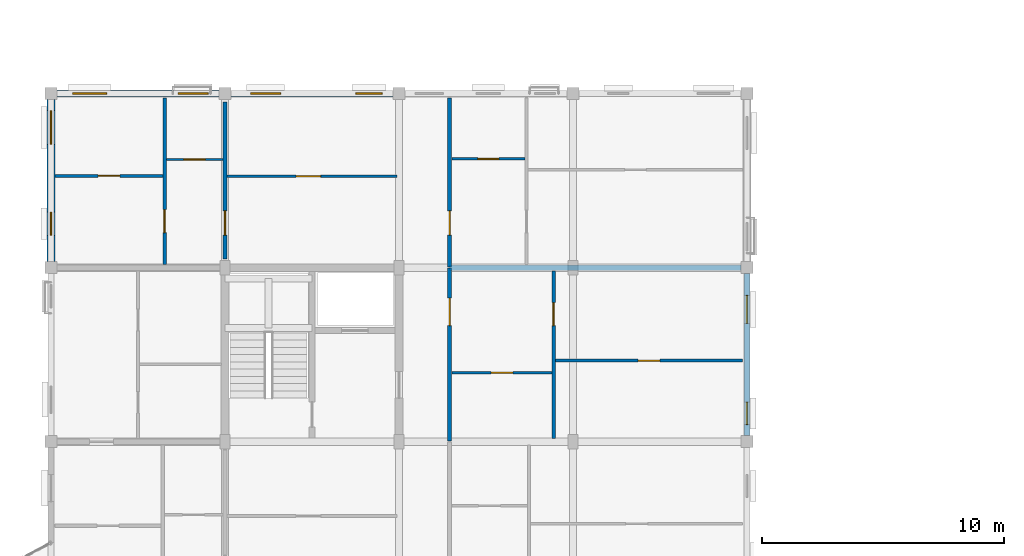
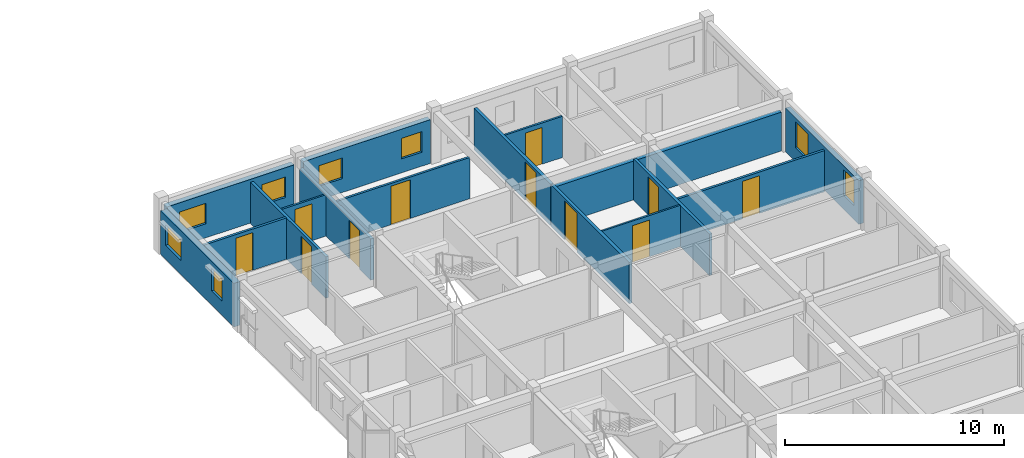
# One storey, part 19 of 38: 16 walls, 11 doors, 8 windows, 19 openings.
"""IFC4 building model written with IfcOpenShell, lengths in metres."""

from ifc_helpers import new_model, si_unit, direction, frame, frame_2d, origin, place, context, subcontext, project, spatial, rectangle, extrude, material, layer, layer_set, type_object, element, fill, save


model = new_model("IFC4")

# Units and contexts
model_context = context("Model", 3, precision=1e-05, world=origin(), true_north=direction((0.0, 1.0)))
body_context = subcontext(model_context, "Body", "Model", "MODEL_VIEW")
ifc_project = project(units=[si_unit("LENGTHUNIT", "METRE"), si_unit("AREAUNIT", "SQUARE_METRE"), si_unit("VOLUMEUNIT", "CUBIC_METRE"), si_unit("PLANEANGLEUNIT", "RADIAN"), si_unit("MASSUNIT", "GRAM", prefix="KILO"), si_unit("THERMODYNAMICTEMPERATUREUNIT", "KELVIN"), si_unit("POWERUNIT", "WATT")], contexts=[model_context])

# Site, building, storey
site_placement = place(None, origin())
site = spatial("IfcSite", under=ifc_project, at=site_placement, CompositionType="ELEMENT")
building_placement = place(site_placement, origin())
building = spatial("IfcBuilding", under=site, at=building_placement, Name="Tavuni Mirador Residences", CompositionType="ELEMENT")
storey_placement = place(building_placement, frame((0.0, 0.0, 32.85009765625)))
storey = spatial("IfcBuildingStorey", under=building, at=storey_placement, Name="L10", CompositionType="ELEMENT", Elevation=32.85009765625)

# Wall, opening, door
ifc_material_1 = material(Name="Precast concrete C40/50", Category="concrete")
ifc_layer_1 = layer(ifc_material_1, 0.1650390625, Name="Precast concrete C40/50", Category="concrete")
ifc_layer_set_1 = layer_set([ifc_layer_1], Name="Precast concrete C40/50")
wall_type_1 = type_object("IfcWallType", Name="WT-CORR165", PredefinedType="PARTITIONING", material=ifc_layer_set_1)
wall_1_placement = place(storey_placement, frame((20.10009765625, 28.820068359375, 0.0), z_axis=(0.0, 0.0, 1.0), x_axis=(0.0, 1.0, 0.0)))
wall_1 = element("IfcWall", 1, at=wall_1_placement, inside=storey, type_object=wall_type_1, Name="CORW-BLK-A-L10-0-03", PredefinedType="PARTITIONING", context=body_context, shape_type="SweptSolid", body=[
    extrude(rectangle(XDim=7.159912109375, YDim=0.1650390625, at=frame_2d((3.580078125, 0.0))), origin(), (0.0, 0.0, 1.0), 2.304931640625),
])
opening_1_placement = place(wall_1_placement, frame((4.780029296875, 0.0, 0.0)))
opening_1 = element("IfcOpeningElement", 2, at=opening_1_placement, cuts=wall_1, Name="Opening D-20", PredefinedType="OPENING", context=body_context, shape_type="SweptSolid", body=[
    extrude(rectangle(XDim=1.139892578125, YDim=2.179931640625, at=frame_2d((0.56982421875, 1.08984375))), frame((0.0, 0.092529296875, 0.0), z_axis=(0.0, -1.0, 0.0), x_axis=(1.0, 0.0, 0.0)), (0.0, 0.0, 1.0), 0.18505859375),
])
ifc_material_2 = material(Name="Solid core iroko timber", Category="wood")
door_type_1 = type_object("IfcDoorType", Name="DT-FD60-1140", OperationType="NOTDEFINED", PredefinedType="DOOR", material=ifc_material_2)
door_1_placement = place(opening_1_placement, origin())
door_1 = element("IfcDoor", 3, at=door_1_placement, inside=storey, type_object=door_type_1, Name="DR-2480", OperationType="SINGLE_SWING_LEFT", OverallHeight=2.179931640625, OverallWidth=1.139892578125, PredefinedType="DOOR", context=body_context, shape_type="SweptSolid", body=[
    extrude(rectangle(XDim=1.139892578125, YDim=2.179931640625, at=frame_2d((0.56982421875, 1.08984375))), frame((0.0, 0.02490234375, 0.0), z_axis=(0.0, -1.0, 0.0), x_axis=(1.0, 0.0, 0.0)), (0.0, 0.0, 1.0), 0.050048828125),
])
fill(opening_1, door_1)

wall_2_placement = place(storey_placement, frame((20.10009765625, 36.02001953125, 0.0), z_axis=(0.0, 0.0, 1.0), x_axis=(0.0, 1.0, 0.0)))
wall_2 = element("IfcWall", 4, at=wall_2_placement, inside=storey, type_object=wall_type_1, Name="CORW-BLK-A-L10-0-04", PredefinedType="PARTITIONING", context=body_context, shape_type="SweptSolid", body=[
    extrude(rectangle(XDim=7.0048828125, YDim=0.1650390625, at=frame_2d((3.50244140625, 0.0))), origin(), (0.0, 0.0, 1.0), 2.304931640625),
])
opening_2_placement = place(wall_2_placement, frame((1.330078125, 0.0, 0.0)))
opening_2 = element("IfcOpeningElement", 5, at=opening_2_placement, cuts=wall_2, Name="Opening D-03", PredefinedType="OPENING", context=body_context, shape_type="SweptSolid", body=[
    extrude(rectangle(XDim=1.0, YDim=2.14990234375, at=frame_2d((0.5, 1.074951171875))), frame((0.0, 0.092529296875, 0.0), z_axis=(0.0, -1.0, 0.0), x_axis=(1.0, 0.0, 0.0)), (0.0, 0.0, 1.0), 0.18505859375),
])
door_type_2 = type_object("IfcDoorType", Name="DT-FD60-1000", OperationType="NOTDEFINED", PredefinedType="DOOR", material=ifc_material_2)
door_2_placement = place(opening_2_placement, origin())
door_2 = element("IfcDoor", 6, at=door_2_placement, inside=storey, type_object=door_type_2, Name="DR-2481", OperationType="SINGLE_SWING_RIGHT", OverallHeight=2.14990234375, OverallWidth=1.0, PredefinedType="DOOR", context=body_context, shape_type="SweptSolid", body=[
    extrude(rectangle(XDim=1.0, YDim=2.14990234375, at=frame_2d((0.5, 1.074951171875))), frame((0.0, 0.02490234375, 0.0), z_axis=(0.0, -1.0, 0.0), x_axis=(1.0, 0.0, 0.0)), (0.0, 0.0, 1.0), 0.050048828125),
])
fill(opening_2, door_2)

wall_3_placement = place(storey_placement, frame((10.800048828125, 36.35009765625, 0.0), z_axis=(0.0, 0.0, 1.0), x_axis=(0.0, 1.0, 0.0)))
wall_3 = element("IfcWall", 7, at=wall_3_placement, inside=storey, type_object=wall_type_1, Name="CORW-BLK-A-L10-1-04", PredefinedType="PARTITIONING", context=body_context, shape_type="SweptSolid", body=[
    extrude(rectangle(XDim=6.5, YDim=0.1650390625, at=frame_2d((3.25, 0.0))), origin(), (0.0, 0.0, 1.0), 2.304931640625),
])
opening_3_placement = place(wall_3_placement, frame((1.0, 0.0, 0.0)))
opening_3 = element("IfcOpeningElement", 8, at=opening_3_placement, cuts=wall_3, Name="Opening D-03", PredefinedType="OPENING", context=body_context, shape_type="SweptSolid", body=[
    extrude(rectangle(XDim=1.0, YDim=2.14990234375, at=frame_2d((0.5, 1.074951171875))), frame((0.0, 0.092529296875, 0.0), z_axis=(0.0, -1.0, 0.0), x_axis=(1.0, 0.0, 0.0)), (0.0, 0.0, 1.0), 0.18505859375),
])
door_3_placement = place(opening_3_placement, origin())
door_3 = element("IfcDoor", 9, at=door_3_placement, inside=storey, type_object=door_type_2, Name="DR-2484", OperationType="SINGLE_SWING_LEFT", OverallHeight=2.14990234375, OverallWidth=1.0, PredefinedType="DOOR", context=body_context, shape_type="SweptSolid", body=[
    extrude(rectangle(XDim=1.0, YDim=2.14990234375, at=frame_2d((0.5, 1.074951171875))), frame((0.0, 0.02490234375, 0.0), z_axis=(0.0, -1.0, 0.0), x_axis=(1.0, 0.0, 0.0)), (0.0, 0.0, 1.0), 0.050048828125),
])
fill(opening_3, door_3)

# Wall, openings, windows
ifc_layer_2 = layer(ifc_material_1, 0.330078125, Name="Precast concrete C40/50", Category="concrete")
ifc_layer_set_2 = layer_set([ifc_layer_2], Name="Precast concrete C40/50")
wall_type_2 = type_object("IfcWallType", Name="WT-EXT-COR330", PredefinedType="SOLIDWALL", material=ifc_layer_set_2)
wall_4_placement = place(storey_placement, frame((3.60009765625, 42.949951171875, 0.0), z_axis=(0.0, 0.0, 1.0), x_axis=(0.0, -1.0, 0.0)))
wall_4 = element("IfcWall", 10, at=wall_4_placement, inside=storey, type_object=wall_type_2, Name="EW-BLK-A-L10-W04", PredefinedType="SOLIDWALL", context=body_context, shape_type="SweptSolid", body=[
    extrude(rectangle(XDim=6.699951171875, YDim=0.330078125, at=frame_2d((3.35009765625, 0.0))), origin(), (0.0, 0.0, 1.0), 2.43994140625),
])
opening_4_placement = place(wall_4_placement, frame((0.449951171875, 0.0, 0.780029296875)))
opening_4 = element("IfcOpeningElement", 11, at=opening_4_placement, cuts=wall_4, Name="Opening WN-08", PredefinedType="OPENING", context=body_context, shape_type="SweptSolid", body=[
    extrude(rectangle(XDim=1.39990234375, YDim=1.14990234375, at=frame_2d((0.699951171875, 0.574951171875))), frame((0.0, 0.175048828125, 0.0), z_axis=(0.0, -1.0, 0.0), x_axis=(1.0, 0.0, 0.0)), (0.0, 0.0, 1.0), 0.35009765625),
])
opening_5_placement = place(wall_4_placement, frame((4.64990234375, 0.0, 0.780029296875)))
opening_5 = element("IfcOpeningElement", 12, at=opening_5_placement, cuts=wall_4, Name="Opening WN-10", PredefinedType="OPENING", context=body_context, shape_type="SweptSolid", body=[
    extrude(rectangle(XDim=0.9599609375, YDim=1.260009765625, at=frame_2d((0.47998046875, 0.6298828125))), frame((0.0, 0.175048828125, 0.0), z_axis=(0.0, -1.0, 0.0), x_axis=(1.0, 0.0, 0.0)), (0.0, 0.0, 1.0), 0.35009765625),
])
ifc_material_3 = material(Name="Laminated solar-control glass", Category="glass")
window_type_1 = type_object("IfcWindowType", Name="WNT-08", PartitioningType="SINGLE_PANEL", PredefinedType="WINDOW", material=ifc_material_3)
window_1_placement = place(opening_4_placement, origin())
window_1 = element("IfcWindow", 13, at=window_1_placement, inside=storey, type_object=window_type_1, Name="WIN-0387", OverallHeight=1.14990234375, OverallWidth=1.39990234375, PartitioningType="SINGLE_PANEL", PredefinedType="WINDOW", context=body_context, shape_type="SweptSolid", body=[
    extrude(rectangle(XDim=1.39990234375, YDim=1.14990234375, at=frame_2d((0.699951171875, 0.574951171875))), frame((0.0, 0.030029296875, 0.0), z_axis=(0.0, -1.0, 0.0), x_axis=(1.0, 0.0, 0.0)), (0.0, 0.0, 1.0), 0.06005859375),
])
fill(opening_4, window_1)
window_type_2 = type_object("IfcWindowType", Name="WNT-10", PartitioningType="SINGLE_PANEL", PredefinedType="WINDOW", material=ifc_material_3)
window_2_placement = place(opening_5_placement, origin())
window_2 = element("IfcWindow", 14, at=window_2_placement, inside=storey, type_object=window_type_2, Name="WIN-0388", OverallHeight=1.260009765625, OverallWidth=0.9599609375, PartitioningType="SINGLE_PANEL", PredefinedType="WINDOW", context=body_context, shape_type="SweptSolid", body=[
    extrude(rectangle(XDim=0.9599609375, YDim=1.260009765625, at=frame_2d((0.47998046875, 0.6298828125))), frame((0.0, 0.030029296875, 0.0), z_axis=(0.0, -1.0, 0.0), x_axis=(1.0, 0.0, 0.0)), (0.0, 0.0, 1.0), 0.06005859375),
])
fill(opening_5, window_2)

ifc_material_4 = material(Name="Sgraffito lime-rendered precast concrete C40/50", Category="concrete")
ifc_layer_3 = layer(ifc_material_4, 0.2451171875, Name="Sgraffito lime-rendered precast concrete C40/50", Category="concrete")
ifc_layer_set_3 = layer_set([ifc_layer_3], Name="Sgraffito lime-rendered precast concrete C40/50")
wall_type_3 = type_object("IfcWallType", Name="WT-EXT-PC245", PredefinedType="SOLIDWALL", material=ifc_layer_set_3)
wall_5_placement = place(storey_placement, frame((32.39990234375, 29.050048828125, 0.0), z_axis=(0.0, 0.0, 1.0), x_axis=(0.0, 1.0, 0.0)))
wall_5 = element("IfcWall", 15, at=wall_5_placement, inside=storey, type_object=wall_type_3, Name="EW-BLK-A-L10-E03", PredefinedType="SOLIDWALL", context=body_context, shape_type="SweptSolid", body=[
    extrude(rectangle(XDim=6.699951171875, YDim=0.2451171875, at=frame_2d((3.35009765625, 0.0))), origin(), (0.0, 0.0, 1.0), 2.43994140625),
])
opening_6_placement = place(wall_5_placement, frame((0.449951171875, 0.0, 0.780029296875)))
opening_6 = element("IfcOpeningElement", 16, at=opening_6_placement, cuts=wall_5, Name="Opening WN-25", PredefinedType="OPENING", context=body_context, shape_type="SweptSolid", body=[
    extrude(rectangle(XDim=0.93994140625, YDim=1.43994140625, at=frame_2d((0.469970703125, 0.719970703125))), frame((0.0, 0.132568359375, 0.0), z_axis=(0.0, -1.0, 0.0), x_axis=(1.0, 0.0, 0.0)), (0.0, 0.0, 1.0), 0.26513671875),
])
opening_7_placement = place(wall_5_placement, frame((4.64990234375, 0.0, 0.780029296875)))
opening_7 = element("IfcOpeningElement", 17, at=opening_7_placement, cuts=wall_5, Name="Opening WN-27", PredefinedType="OPENING", context=body_context, shape_type="SweptSolid", body=[
    extrude(rectangle(XDim=1.14990234375, YDim=1.43994140625, at=frame_2d((0.574951171875, 0.719970703125))), frame((0.0, 0.132568359375, 0.0), z_axis=(0.0, -1.0, 0.0), x_axis=(1.0, 0.0, 0.0)), (0.0, 0.0, 1.0), 0.26513671875),
])
window_type_3 = type_object("IfcWindowType", Name="WNT-25", PartitioningType="SINGLE_PANEL", PredefinedType="WINDOW", material=ifc_material_3)
window_3_placement = place(opening_6_placement, origin())
window_3 = element("IfcWindow", 18, at=window_3_placement, inside=storey, type_object=window_type_3, Name="WIN-0374", OverallHeight=1.43994140625, OverallWidth=0.93994140625, PartitioningType="SINGLE_PANEL", PredefinedType="WINDOW", context=body_context, shape_type="SweptSolid", body=[
    extrude(rectangle(XDim=0.93994140625, YDim=1.43994140625, at=frame_2d((0.469970703125, 0.719970703125))), frame((0.0, 0.030029296875, 0.0), z_axis=(0.0, -1.0, 0.0), x_axis=(1.0, 0.0, 0.0)), (0.0, 0.0, 1.0), 0.06005859375),
])
fill(opening_6, window_3)
window_type_4 = type_object("IfcWindowType", Name="WNT-27", PartitioningType="SINGLE_PANEL", PredefinedType="WINDOW", material=ifc_material_3)
window_4_placement = place(opening_7_placement, origin())
window_4 = element("IfcWindow", 19, at=window_4_placement, inside=storey, type_object=window_type_4, Name="WIN-0375", OverallHeight=1.43994140625, OverallWidth=1.14990234375, PartitioningType="SINGLE_PANEL", PredefinedType="WINDOW", context=body_context, shape_type="SweptSolid", body=[
    extrude(rectangle(XDim=1.14990234375, YDim=1.43994140625, at=frame_2d((0.574951171875, 0.719970703125))), frame((0.0, 0.030029296875, 0.0), z_axis=(0.0, -1.0, 0.0), x_axis=(1.0, 0.0, 0.0)), (0.0, 0.0, 1.0), 0.06005859375),
])
fill(opening_7, window_4)

ifc_layer_4 = layer(ifc_material_4, 0.27490234375, Name="Sgraffito lime-rendered precast concrete C40/50", Category="concrete")
ifc_layer_set_4 = layer_set([ifc_layer_4], Name="Sgraffito lime-rendered precast concrete C40/50")
wall_type_4 = type_object("IfcWallType", Name="WT-EXT-PC275", PredefinedType="SOLIDWALL", material=ifc_layer_set_4)
wall_6_placement = place(storey_placement, frame((17.75, 43.199951171875, 0.0), z_axis=(0.0, 0.0, 1.0), x_axis=(-1.0, 0.0, 0.0)))
wall_6 = element("IfcWall", 20, at=wall_6_placement, inside=storey, type_object=wall_type_4, Name="EW-BLK-A-L10-N01", PredefinedType="SOLIDWALL", context=body_context, shape_type="SweptSolid", body=[
    extrude(rectangle(XDim=6.699951171875, YDim=0.27490234375, at=frame_2d((3.35009765625, 0.0))), origin(), (0.0, 0.0, 1.0), 2.43994140625),
])
opening_8_placement = place(wall_6_placement, frame((0.449951171875, 0.0, 0.780029296875)))
opening_8 = element("IfcOpeningElement", 21, at=opening_8_placement, cuts=wall_6, Name="Opening WN-04", PredefinedType="OPENING", context=body_context, shape_type="SweptSolid", body=[
    extrude(rectangle(XDim=1.080078125, YDim=1.14990234375, at=frame_2d((0.5400390625, 0.574951171875))), frame((0.0, 0.1474609375, 0.0), z_axis=(0.0, -1.0, 0.0), x_axis=(1.0, 0.0, 0.0)), (0.0, 0.0, 1.0), 0.294921875),
])
opening_9_placement = place(wall_6_placement, frame((4.64990234375, 0.0, 0.780029296875)))
opening_9 = element("IfcOpeningElement", 22, at=opening_9_placement, cuts=wall_6, Name="Opening WN-06", PredefinedType="OPENING", context=body_context, shape_type="SweptSolid", body=[
    extrude(rectangle(XDim=1.239990234375, YDim=1.14990234375, at=frame_2d((0.6201171875, 0.574951171875))), frame((0.0, 0.1474609375, 0.0), z_axis=(0.0, -1.0, 0.0), x_axis=(1.0, 0.0, 0.0)), (0.0, 0.0, 1.0), 0.294921875),
])
window_type_5 = type_object("IfcWindowType", Name="WNT-04", PartitioningType="SINGLE_PANEL", PredefinedType="WINDOW", material=ifc_material_3)
window_5_placement = place(opening_8_placement, origin())
window_5 = element("IfcWindow", 23, at=window_5_placement, inside=storey, type_object=window_type_5, Name="WIN-0383", OverallHeight=1.14990234375, OverallWidth=1.080078125, PartitioningType="SINGLE_PANEL", PredefinedType="WINDOW", context=body_context, shape_type="SweptSolid", body=[
    extrude(rectangle(XDim=1.080078125, YDim=1.14990234375, at=frame_2d((0.5400390625, 0.574951171875))), frame((0.0, 0.030029296875, 0.0), z_axis=(0.0, -1.0, 0.0), x_axis=(1.0, 0.0, 0.0)), (0.0, 0.0, 1.0), 0.06005859375),
])
fill(opening_8, window_5)
window_type_6 = type_object("IfcWindowType", Name="WNT-06", PartitioningType="SINGLE_PANEL", PredefinedType="WINDOW", material=ifc_material_3)
window_6_placement = place(opening_9_placement, origin())
window_6 = element("IfcWindow", 24, at=window_6_placement, inside=storey, type_object=window_type_6, Name="WIN-0384", OverallHeight=1.14990234375, OverallWidth=1.239990234375, PartitioningType="SINGLE_PANEL", PredefinedType="WINDOW", context=body_context, shape_type="SweptSolid", body=[
    extrude(rectangle(XDim=1.239990234375, YDim=1.14990234375, at=frame_2d((0.6201171875, 0.574951171875))), frame((0.0, 0.030029296875, 0.0), z_axis=(0.0, -1.0, 0.0), x_axis=(1.0, 0.0, 0.0)), (0.0, 0.0, 1.0), 0.06005859375),
])
fill(opening_9, window_6)

ifc_layer_5 = layer(ifc_material_4, 0.2900390625, Name="Sgraffito lime-rendered precast concrete C40/50", Category="concrete")
ifc_layer_set_5 = layer_set([ifc_layer_5], Name="Sgraffito lime-rendered precast concrete C40/50")
wall_type_5 = type_object("IfcWallType", Name="WT-EXT-PC290", PredefinedType="SOLIDWALL", material=ifc_layer_set_5)
wall_7_placement = place(storey_placement, frame((10.550048828125, 43.199951171875, 0.0), z_axis=(0.0, 0.0, 1.0), x_axis=(-1.0, 0.0, 0.0)))
wall_7 = element("IfcWall", 25, at=wall_7_placement, inside=storey, type_object=wall_type_5, Name="EW-BLK-A-L10-N00", PredefinedType="SOLIDWALL", context=body_context, shape_type="SweptSolid", body=[
    extrude(rectangle(XDim=6.699951171875, YDim=0.2900390625, at=frame_2d((3.35009765625, 0.0))), origin(), (0.0, 0.0, 1.0), 2.43994140625),
])
opening_10_placement = place(wall_7_placement, frame((0.449951171875, 0.0, 0.780029296875)))
opening_10 = element("IfcOpeningElement", 26, at=opening_10_placement, cuts=wall_7, Name="Opening WN-06", PredefinedType="OPENING", context=body_context, shape_type="SweptSolid", body=[
    extrude(rectangle(XDim=1.239990234375, YDim=1.14990234375, at=frame_2d((0.6201171875, 0.574951171875))), frame((0.0, 0.155029296875, 0.0), z_axis=(0.0, -1.0, 0.0), x_axis=(1.0, 0.0, 0.0)), (0.0, 0.0, 1.0), 0.31005859375),
])
opening_11_placement = place(wall_7_placement, frame((4.64990234375, 0.0, 0.780029296875)))
opening_11 = element("IfcOpeningElement", 27, at=opening_11_placement, cuts=wall_7, Name="Opening WN-08", PredefinedType="OPENING", context=body_context, shape_type="SweptSolid", body=[
    extrude(rectangle(XDim=1.39990234375, YDim=1.14990234375, at=frame_2d((0.699951171875, 0.574951171875))), frame((0.0, 0.155029296875, 0.0), z_axis=(0.0, -1.0, 0.0), x_axis=(1.0, 0.0, 0.0)), (0.0, 0.0, 1.0), 0.31005859375),
])
window_7_placement = place(opening_10_placement, origin())
window_7 = element("IfcWindow", 28, at=window_7_placement, inside=storey, type_object=window_type_6, Name="WIN-0385", OverallHeight=1.14990234375, OverallWidth=1.239990234375, PartitioningType="SINGLE_PANEL", PredefinedType="WINDOW", context=body_context, shape_type="SweptSolid", body=[
    extrude(rectangle(XDim=1.239990234375, YDim=1.14990234375, at=frame_2d((0.6201171875, 0.574951171875))), frame((0.0, 0.030029296875, 0.0), z_axis=(0.0, -1.0, 0.0), x_axis=(1.0, 0.0, 0.0)), (0.0, 0.0, 1.0), 0.06005859375),
])
fill(opening_10, window_7)
window_8_placement = place(opening_11_placement, origin())
window_8 = element("IfcWindow", 29, at=window_8_placement, inside=storey, type_object=window_type_1, Name="WIN-0386", OverallHeight=1.14990234375, OverallWidth=1.39990234375, PartitioningType="SINGLE_PANEL", PredefinedType="WINDOW", context=body_context, shape_type="SweptSolid", body=[
    extrude(rectangle(XDim=1.39990234375, YDim=1.14990234375, at=frame_2d((0.699951171875, 0.574951171875))), frame((0.0, 0.030029296875, 0.0), z_axis=(0.0, -1.0, 0.0), x_axis=(1.0, 0.0, 0.0)), (0.0, 0.0, 1.0), 0.06005859375),
])
fill(opening_11, window_8)

# Wall, opening, door
ifc_material_5 = material(Name="Acoustic gypsum and concrete block partition", Category="concrete")
ifc_layer_6 = layer(ifc_material_5, 0.094970703125, Name="Acoustic gypsum and concrete block partition", Category="concrete")
ifc_layer_set_6 = layer_set([ifc_layer_6], Name="Acoustic gypsum and concrete block partition")
wall_type_6 = type_object("IfcWallType", Name="WT-PART095", PredefinedType="PARTITIONING", material=ifc_layer_set_6)
wall_8_placement = place(storey_placement, frame((20.18994140625, 31.64990234375, 0.0), z_axis=(0.0, 0.0, 1.0), x_axis=(1.0, 0.0, 0.0)))
wall_8 = element("IfcWall", 30, at=wall_8_placement, inside=storey, type_object=wall_type_6, Name="PW-BLK-A-L10-E03-IN1", PredefinedType="PARTITIONING", context=body_context, shape_type="SweptSolid", body=[
    extrude(rectangle(XDim=4.14013671875, YDim=0.094970703125, at=frame_2d((2.070068359375, 0.0))), origin(), (0.0, 0.0, 1.0), 2.304931640625),
])
opening_12_placement = place(wall_8_placement, frame((1.6201171875, 0.0, 0.0)))
opening_12 = element("IfcOpeningElement", 31, at=opening_12_placement, cuts=wall_8, Name="Opening D-09", PredefinedType="OPENING", context=body_context, shape_type="SweptSolid", body=[
    extrude(rectangle(XDim=0.89990234375, YDim=2.050048828125, at=frame_2d((0.449951171875, 1.02490234375))), frame((0.0, 0.0576171875, 0.0), z_axis=(0.0, -1.0, 0.0), x_axis=(1.0, 0.0, 0.0)), (0.0, 0.0, 1.0), 0.114990234375),
])
door_type_3 = type_object("IfcDoorType", Name="DT-WC900", OperationType="NOTDEFINED", PredefinedType="DOOR", material=ifc_material_2)
door_4_placement = place(opening_12_placement, origin())
door_4 = element("IfcDoor", 32, at=door_4_placement, inside=storey, type_object=door_type_3, Name="DR-3278", OperationType="SINGLE_SWING_RIGHT", OverallHeight=2.050048828125, OverallWidth=0.89990234375, PredefinedType="DOOR", context=body_context, shape_type="SweptSolid", body=[
    extrude(rectangle(XDim=0.89990234375, YDim=2.050048828125, at=frame_2d((0.449951171875, 1.02490234375))), frame((0.0, 0.02490234375, 0.0), z_axis=(0.0, -1.0, 0.0), x_axis=(1.0, 0.0, 0.0)), (0.0, 0.0, 1.0), 0.050048828125),
])
fill(opening_12, door_4)

wall_9_placement = place(storey_placement, frame((8.3701171875, 40.47998046875, 0.0), z_axis=(0.0, 0.0, 1.0), x_axis=(1.0, 0.0, 0.0)))
wall_9 = element("IfcWall", 33, at=wall_9_placement, inside=storey, type_object=wall_type_6, Name="PW-BLK-A-L10-W04-IN1", PredefinedType="PARTITIONING", context=body_context, shape_type="SweptSolid", body=[
    extrude(rectangle(XDim=2.33984375, YDim=0.094970703125, at=frame_2d((1.169921875, 0.0))), origin(), (0.0, 0.0, 1.0), 2.304931640625),
])
opening_13_placement = place(wall_9_placement, frame((0.719970703125, 0.0, 0.0)))
opening_13 = element("IfcOpeningElement", 34, at=opening_13_placement, cuts=wall_9, Name="Opening D-09", PredefinedType="OPENING", context=body_context, shape_type="SweptSolid", body=[
    extrude(rectangle(XDim=0.89990234375, YDim=2.050048828125, at=frame_2d((0.449951171875, 1.02490234375))), frame((0.0, 0.0576171875, 0.0), z_axis=(0.0, -1.0, 0.0), x_axis=(1.0, 0.0, 0.0)), (0.0, 0.0, 1.0), 0.114990234375),
])
door_5_placement = place(opening_13_placement, origin())
door_5 = element("IfcDoor", 35, at=door_5_placement, inside=storey, type_object=door_type_3, Name="DR-3282", OperationType="SINGLE_SWING_RIGHT", OverallHeight=2.050048828125, OverallWidth=0.89990234375, PredefinedType="DOOR", context=body_context, shape_type="SweptSolid", body=[
    extrude(rectangle(XDim=0.89990234375, YDim=2.050048828125, at=frame_2d((0.449951171875, 1.02490234375))), frame((0.0, 0.02490234375, 0.0), z_axis=(0.0, -1.0, 0.0), x_axis=(1.0, 0.0, 0.0)), (0.0, 0.0, 1.0), 0.050048828125),
])
fill(opening_13, door_5)

ifc_layer_7 = layer(ifc_material_5, 0.10498046875, Name="Acoustic gypsum and concrete block partition", Category="concrete")
ifc_layer_set_7 = layer_set([ifc_layer_7], Name="Acoustic gypsum and concrete block partition")
wall_type_7 = type_object("IfcWallType", Name="WT-PART105", PredefinedType="PARTITIONING", material=ifc_layer_set_7)
wall_10_placement = place(storey_placement, frame((20.18994140625, 40.5, 0.0), z_axis=(0.0, 0.0, 1.0), x_axis=(1.0, 0.0, 0.0)))
wall_10 = element("IfcWall", 36, at=wall_10_placement, inside=storey, type_object=wall_type_7, Name="PW-BLK-A-L10-E04-IN1", PredefinedType="PARTITIONING", context=body_context, shape_type="SweptSolid", body=[
    extrude(rectangle(XDim=3.02001953125, YDim=0.10498046875, at=frame_2d((1.510009765625, 0.0))), origin(), (0.0, 0.0, 1.0), 2.304931640625),
])
opening_14_placement = place(wall_10_placement, frame((1.074951171875, 0.0, 0.0)))
opening_14 = element("IfcOpeningElement", 37, at=opening_14_placement, cuts=wall_10, Name="Opening D-10", PredefinedType="OPENING", context=body_context, shape_type="SweptSolid", body=[
    extrude(rectangle(XDim=0.8701171875, YDim=2.050048828125, at=frame_2d((0.43505859375, 1.02490234375))), frame((0.0, 0.0625, 0.0), z_axis=(0.0, -1.0, 0.0), x_axis=(1.0, 0.0, 0.0)), (0.0, 0.0, 1.0), 0.125),
])
door_type_4 = type_object("IfcDoorType", Name="DT-WC870", OperationType="NOTDEFINED", PredefinedType="DOOR", material=ifc_material_2)
door_6_placement = place(opening_14_placement, origin())
door_6 = element("IfcDoor", 38, at=door_6_placement, inside=storey, type_object=door_type_4, Name="DR-3285", OperationType="SINGLE_SWING_LEFT", OverallHeight=2.050048828125, OverallWidth=0.8701171875, PredefinedType="DOOR", context=body_context, shape_type="SweptSolid", body=[
    extrude(rectangle(XDim=0.8701171875, YDim=2.050048828125, at=frame_2d((0.43505859375, 1.02490234375))), frame((0.0, 0.02490234375, 0.0), z_axis=(0.0, -1.0, 0.0), x_axis=(1.0, 0.0, 0.0)), (0.0, 0.0, 1.0), 0.050048828125),
])
fill(opening_14, door_6)

ifc_layer_8 = layer(ifc_material_5, 0.114990234375, Name="Acoustic gypsum and concrete block partition", Category="concrete")
ifc_layer_set_8 = layer_set([ifc_layer_8], Name="Acoustic gypsum and concrete block partition")
wall_type_8 = type_object("IfcWallType", Name="WT-PART115", PredefinedType="PARTITIONING", material=ifc_layer_set_8)
wall_11_placement = place(storey_placement, frame((10.889892578125, 39.780029296875, 0.0), z_axis=(0.0, 0.0, 1.0), x_axis=(1.0, 0.0, 0.0)))
wall_11 = element("IfcWall", 39, at=wall_11_placement, inside=storey, type_object=wall_type_8, Name="PW-SPN-BLK-A-L10-04", PredefinedType="PARTITIONING", context=body_context, shape_type="SweptSolid", body=[
    extrude(rectangle(XDim=7.02001953125, YDim=0.114990234375, at=frame_2d((3.510009765625, 0.0))), origin(), (0.0, 0.0, 1.0), 2.304931640625),
])
opening_15_placement = place(wall_11_placement, frame((2.85009765625, 0.0, 0.0)))
opening_15 = element("IfcOpeningElement", 40, at=opening_15_placement, cuts=wall_11, Name="Opening D-13", PredefinedType="OPENING", context=body_context, shape_type="SweptSolid", body=[
    extrude(rectangle(XDim=1.02001953125, YDim=2.14990234375, at=frame_2d((0.510009765625, 1.074951171875))), frame((0.0, 0.0673828125, 0.0), z_axis=(0.0, -1.0, 0.0), x_axis=(1.0, 0.0, 0.0)), (0.0, 0.0, 1.0), 0.135009765625),
])
door_type_5 = type_object("IfcDoorType", Name="DT-MTG1020", OperationType="NOTDEFINED", PredefinedType="DOOR", material=ifc_material_2)
door_7_placement = place(opening_15_placement, origin())
door_7 = element("IfcDoor", 41, at=door_7_placement, inside=storey, type_object=door_type_5, Name="DR-3280", OperationType="SINGLE_SWING_LEFT", OverallHeight=2.14990234375, OverallWidth=1.02001953125, PredefinedType="DOOR", context=body_context, shape_type="SweptSolid", body=[
    extrude(rectangle(XDim=1.02001953125, YDim=2.14990234375, at=frame_2d((0.510009765625, 1.074951171875))), frame((0.0, 0.02490234375, 0.0), z_axis=(0.0, -1.0, 0.0), x_axis=(1.0, 0.0, 0.0)), (0.0, 0.0, 1.0), 0.050048828125),
])
fill(opening_15, door_7)

ifc_layer_9 = layer(ifc_material_5, 0.125, Name="Acoustic gypsum and concrete block partition", Category="concrete")
ifc_layer_set_9 = layer_set([ifc_layer_9], Name="Acoustic gypsum and concrete block partition")
wall_type_9 = type_object("IfcWallType", Name="WT-PART125", PredefinedType="PARTITIONING", material=ifc_layer_set_9)
wall_12_placement = place(storey_placement, frame((24.469970703125, 32.14990234375, 0.0), z_axis=(0.0, 0.0, 1.0), x_axis=(1.0, 0.0, 0.0)))
wall_12 = element("IfcWall", 42, at=wall_12_placement, inside=storey, type_object=wall_type_9, Name="PW-BLK-A-L10-E03-OUT", PredefinedType="PARTITIONING", context=body_context, shape_type="SweptSolid", body=[
    extrude(rectangle(XDim=7.755126953125, YDim=0.125, at=frame_2d((3.87744140625, 0.0))), origin(), (0.0, 0.0, 1.0), 2.304931640625),
])
opening_16_placement = place(wall_12_placement, frame((3.427490234375, 0.0, 0.0)))
opening_16 = element("IfcOpeningElement", 43, at=opening_16_placement, cuts=wall_12, Name="Opening D-07", PredefinedType="OPENING", context=body_context, shape_type="SweptSolid", body=[
    extrude(rectangle(XDim=0.89990234375, YDim=2.10009765625, at=frame_2d((0.449951171875, 1.050048828125))), frame((0.0, 0.072509765625, 0.0), z_axis=(0.0, -1.0, 0.0), x_axis=(1.0, 0.0, 0.0)), (0.0, 0.0, 1.0), 0.14501953125),
])
door_type_6 = type_object("IfcDoorType", Name="DT-BED900", OperationType="NOTDEFINED", PredefinedType="DOOR", material=ifc_material_2)
door_8_placement = place(opening_16_placement, origin())
door_8 = element("IfcDoor", 44, at=door_8_placement, inside=storey, type_object=door_type_6, Name="DR-3277", OperationType="SINGLE_SWING_LEFT", OverallHeight=2.10009765625, OverallWidth=0.89990234375, PredefinedType="DOOR", context=body_context, shape_type="SweptSolid", body=[
    extrude(rectangle(XDim=0.89990234375, YDim=2.10009765625, at=frame_2d((0.449951171875, 1.050048828125))), frame((0.0, 0.02490234375, 0.0), z_axis=(0.0, -1.0, 0.0), x_axis=(1.0, 0.0, 0.0)), (0.0, 0.0, 1.0), 0.050048828125),
])
fill(opening_16, door_8)

wall_13_placement = place(storey_placement, frame((3.77490234375, 39.800048828125, 0.0), z_axis=(0.0, 0.0, 1.0), x_axis=(1.0, 0.0, 0.0)))
wall_13 = element("IfcWall", 45, at=wall_13_placement, inside=storey, type_object=wall_type_9, Name="PW-BLK-A-L10-W04-OUT", PredefinedType="PARTITIONING", context=body_context, shape_type="SweptSolid", body=[
    extrude(rectangle(XDim=4.455078125, YDim=0.125, at=frame_2d((2.2275390625, 0.0))), origin(), (0.0, 0.0, 1.0), 2.304931640625),
])
opening_17_placement = place(wall_13_placement, frame((1.777587890625, 0.0, 0.0)))
opening_17 = element("IfcOpeningElement", 46, at=opening_17_placement, cuts=wall_13, Name="Opening D-07", PredefinedType="OPENING", context=body_context, shape_type="SweptSolid", body=[
    extrude(rectangle(XDim=0.89990234375, YDim=2.10009765625, at=frame_2d((0.449951171875, 1.050048828125))), frame((0.0, 0.072509765625, 0.0), z_axis=(0.0, -1.0, 0.0), x_axis=(1.0, 0.0, 0.0)), (0.0, 0.0, 1.0), 0.14501953125),
])
door_9_placement = place(opening_17_placement, origin())
door_9 = element("IfcDoor", 47, at=door_9_placement, inside=storey, type_object=door_type_6, Name="DR-3281", OperationType="SINGLE_SWING_LEFT", OverallHeight=2.10009765625, OverallWidth=0.89990234375, PredefinedType="DOOR", context=body_context, shape_type="SweptSolid", body=[
    extrude(rectangle(XDim=0.89990234375, YDim=2.10009765625, at=frame_2d((0.449951171875, 1.050048828125))), frame((0.0, 0.02490234375, 0.0), z_axis=(0.0, -1.0, 0.0), x_axis=(1.0, 0.0, 0.0)), (0.0, 0.0, 1.0), 0.050048828125),
])
fill(opening_17, door_9)

ifc_layer_10 = layer(ifc_material_5, 0.14990234375, Name="Acoustic gypsum and concrete block partition", Category="concrete")
ifc_layer_set_10 = layer_set([ifc_layer_10], Name="Acoustic gypsum and concrete block partition")
wall_type_10 = type_object("IfcWallType", Name="WT-PART150", PredefinedType="PARTITIONING", material=ifc_layer_set_10)
wall_14_placement = place(storey_placement, frame((24.39990234375, 28.93994140625, 0.0), z_axis=(0.0, 0.0, 1.0), x_axis=(0.0, 1.0, 0.0)))
wall_14 = element("IfcWall", 48, at=wall_14_placement, inside=storey, type_object=wall_type_10, Name="PW-BLK-A-L10-E03-MID", PredefinedType="PARTITIONING", context=body_context, shape_type="SweptSolid", body=[
    extrude(rectangle(XDim=6.920166015625, YDim=0.14990234375, at=frame_2d((3.4599609375, 0.0))), origin(), (0.0, 0.0, 1.0), 2.304931640625),
])
opening_18_placement = place(wall_14_placement, frame((4.659912109375, 0.0, 0.0)))
opening_18 = element("IfcOpeningElement", 49, at=opening_18_placement, cuts=wall_14, Name="Opening D-05", PredefinedType="OPENING", context=body_context, shape_type="SweptSolid", body=[
    extrude(rectangle(XDim=0.949951171875, YDim=2.10009765625, at=frame_2d((0.47509765625, 1.050048828125))), frame((0.0, 0.0849609375, 0.0), z_axis=(0.0, -1.0, 0.0), x_axis=(1.0, 0.0, 0.0)), (0.0, 0.0, 1.0), 0.169921875),
])
door_type_7 = type_object("IfcDoorType", Name="DT-INT950", OperationType="NOTDEFINED", PredefinedType="DOOR", material=ifc_material_2)
door_10_placement = place(opening_18_placement, origin())
door_10 = element("IfcDoor", 50, at=door_10_placement, inside=storey, type_object=door_type_7, Name="DR-3279", OperationType="SINGLE_SWING_LEFT", OverallHeight=2.10009765625, OverallWidth=0.949951171875, PredefinedType="DOOR", context=body_context, shape_type="SweptSolid", body=[
    extrude(rectangle(XDim=0.949951171875, YDim=2.10009765625, at=frame_2d((0.47509765625, 1.050048828125))), frame((0.0, 0.02490234375, 0.0), z_axis=(0.0, -1.0, 0.0), x_axis=(1.0, 0.0, 0.0)), (0.0, 0.0, 1.0), 0.050048828125),
])
fill(opening_18, door_10)

wall_15_placement = place(storey_placement, frame((8.300048828125, 36.139892578125, 0.0), z_axis=(0.0, 0.0, 1.0), x_axis=(0.0, 1.0, 0.0)))
wall_15 = element("IfcWall", 51, at=wall_15_placement, inside=storey, type_object=wall_type_10, Name="PW-BLK-A-L10-W04-MID", PredefinedType="PARTITIONING", context=body_context, shape_type="SweptSolid", body=[
    extrude(rectangle(XDim=6.885009765625, YDim=0.14990234375, at=frame_2d((3.4423828125, 0.0))), origin(), (0.0, 0.0, 1.0), 2.304931640625),
])
opening_19_placement = place(wall_15_placement, frame((1.31005859375, 0.0, 0.0)))
opening_19 = element("IfcOpeningElement", 52, at=opening_19_placement, cuts=wall_15, Name="Opening D-05", PredefinedType="OPENING", context=body_context, shape_type="SweptSolid", body=[
    extrude(rectangle(XDim=0.949951171875, YDim=2.10009765625, at=frame_2d((0.47509765625, 1.050048828125))), frame((0.0, 0.0849609375, 0.0), z_axis=(0.0, -1.0, 0.0), x_axis=(1.0, 0.0, 0.0)), (0.0, 0.0, 1.0), 0.169921875),
])
door_11_placement = place(opening_19_placement, origin())
door_11 = element("IfcDoor", 53, at=door_11_placement, inside=storey, type_object=door_type_7, Name="DR-3283", OperationType="SINGLE_SWING_LEFT", OverallHeight=2.10009765625, OverallWidth=0.949951171875, PredefinedType="DOOR", context=body_context, shape_type="SweptSolid", body=[
    extrude(rectangle(XDim=0.949951171875, YDim=2.10009765625, at=frame_2d((0.47509765625, 1.050048828125))), frame((0.0, 0.02490234375, 0.0), z_axis=(0.0, -1.0, 0.0), x_axis=(1.0, 0.0, 0.0)), (0.0, 0.0, 1.0), 0.050048828125),
])
fill(opening_19, door_11)

# Wall
ifc_layer_11 = layer(ifc_material_1, 0.215087890625, Name="Precast concrete C40/50", Category="concrete")
ifc_layer_set_11 = layer_set([ifc_layer_11], Name="Precast concrete C40/50")
wall_type_11 = type_object("IfcWallType", Name="WT-XW215", PredefinedType="SOLIDWALL", material=ifc_layer_set_11)
wall_16_placement = place(storey_placement, frame((20.10009765625, 36.0, 0.0), z_axis=(0.0, 0.0, 1.0), x_axis=(1.0, 0.0, 0.0)))
element("IfcWall", 54, at=wall_16_placement, inside=storey, type_object=wall_type_11, Name="XW-BLK-A-L10-E-04", PredefinedType="SOLIDWALL", context=body_context, shape_type="SweptSolid", body=[
    extrude(rectangle(XDim=12.0498046875, YDim=0.215087890625, at=frame_2d((6.02490234375, 0.0))), origin(), (0.0, 0.0, 1.0), 2.169921875),
])

save(model, "model.ifc")
